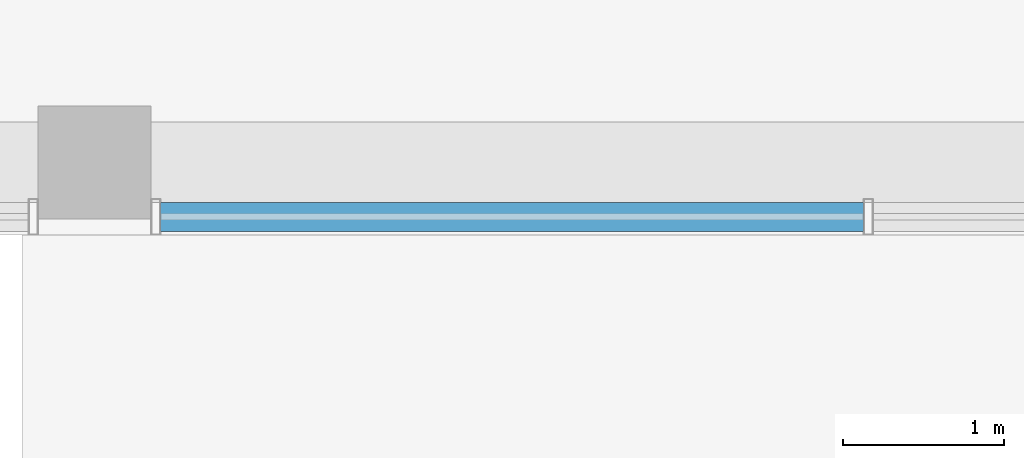
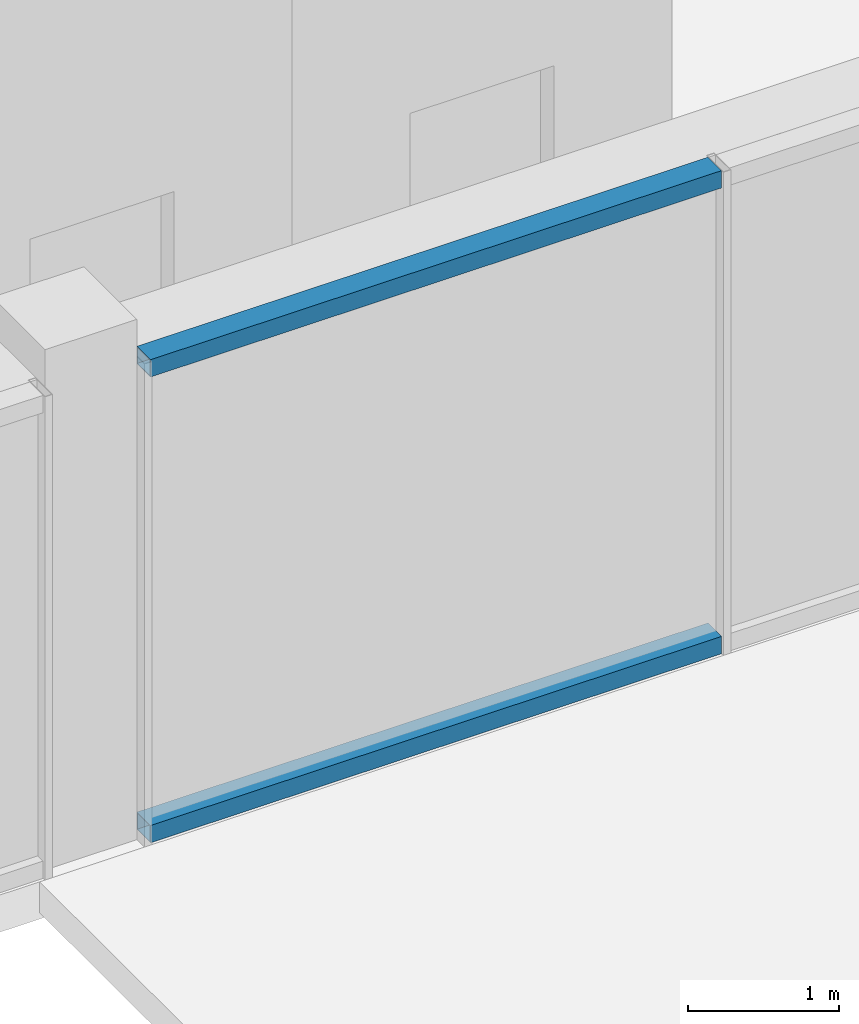
# One storey, part 10 of 27: 2 members, 1 element without a shape of its own.
"""IFC4 building model written with IfcOpenShell, lengths in metres."""

from ifc_helpers import new_model, si_unit, direction, frame, origin, origin_2d, place, context, subcontext, project, spatial, hollow_rectangle, extrude, material, layer, layer_set, material_profile, profile_set, type_object, element, aggregate, save


model = new_model("IFC4")

# Units and contexts
model_context = context("Model", 3, precision=1e-05, world=origin(), true_north=direction((0.0, 1.0)))
body_context = subcontext(model_context, "Body", "Model", "MODEL_VIEW")
ifc_project = project(units=[si_unit("LENGTHUNIT", "METRE"), si_unit("AREAUNIT", "SQUARE_METRE"), si_unit("VOLUMEUNIT", "CUBIC_METRE"), si_unit("PLANEANGLEUNIT", "RADIAN"), si_unit("MASSUNIT", "GRAM", prefix="KILO")], contexts=[model_context])

# Site, building, storey
site_placement = place(None, origin())
site = spatial("IfcSite", under=ifc_project, at=site_placement, CompositionType="ELEMENT")
building_placement = place(site_placement, origin())
building = spatial("IfcBuilding", under=site, at=building_placement, Name="Nzadi Deep Aquarium and Research Tower", CompositionType="ELEMENT")
storey_placement = place(building_placement, frame((0.0, 0.0, 69.699951171875)))
storey = spatial("IfcBuildingStorey", under=building, at=storey_placement, Name="L14", CompositionType="ELEMENT", Elevation=69.699951171875)

# Curtain wall, members
ifc_material_1 = material(Name="Aluminium unitised frame deep", Category="aluminium")
ifc_layer = layer(ifc_material_1, 0.22509765625)
ifc_layer_set = layer_set([ifc_layer], Name="Aluminium unitised frame deep")
curtain_wall_type = type_object("IfcCurtainWallType", Name="Curtain wall Unitised Deep 225", PredefinedType="NOTDEFINED", material=ifc_layer_set)
curtain_wall_placement = place(storey_placement, origin())
curtain_wall = element("IfcCurtainWall", 1, at=curtain_wall_placement, inside=storey, type_object=curtain_wall_type, Name="Unitised curtain wall blade B south L14", PredefinedType="NOTDEFINED")
ifc_material_2 = material(Name="Aluminium unitised frame deep", Category="aluminium")
ifc_material_profile = material_profile(ifc_material_2, hollow_rectangle(XDim=0.179931640625, YDim=0.139892578125, WallThickness=0.0048828125, at=origin_2d()))
ifc_profile_set = profile_set([ifc_material_profile], Name="Aluminium unitised frame deep")
member_type = type_object("IfcMemberType", Name="Transom 140x180 Unitised Deep", PredefinedType="MULLION", material=ifc_profile_set)
member_1_placement = place(storey_placement, frame((29.2099609375, 27.262451171875, 0.070068359375), z_axis=(1.0, 0.0, 0.0), x_axis=(0.0, 1.0, 0.0)))
member_1 = element("IfcMember", 2, at=member_1_placement, type_object=member_type, Name="CW179 transom 1.1", PredefinedType="MULLION", context=body_context, shape_type="SweptSolid", body=[
    extrude(hollow_rectangle(XDim=0.179931640625, YDim=0.139892578125, WallThickness=0.0048828125, at=origin_2d()), origin(), (0.0, 0.0, 1.0), 4.360107421875),
])
member_2_placement = place(storey_placement, frame((29.2099609375, 27.262451171875, 3.830078125), z_axis=(1.0, 0.0, 0.0), x_axis=(0.0, 1.0, 0.0)))
member_2 = element("IfcMember", 3, at=member_2_placement, type_object=member_type, Name="CW179 transom 1.2", PredefinedType="MULLION", context=body_context, shape_type="SweptSolid", body=[
    extrude(hollow_rectangle(XDim=0.179931640625, YDim=0.139892578125, WallThickness=0.0048828125, at=origin_2d()), origin(), (0.0, 0.0, 1.0), 4.360107421875),
])
aggregate(curtain_wall, [member_1, member_2])

save(model, "model.ifc")
